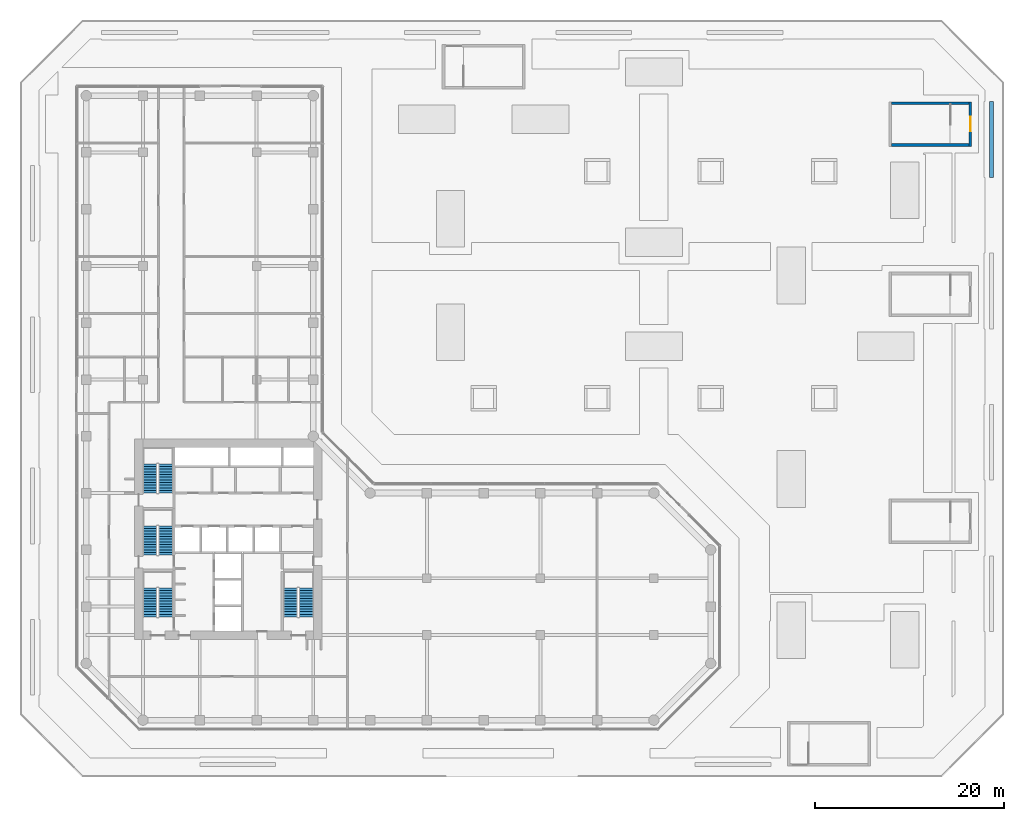
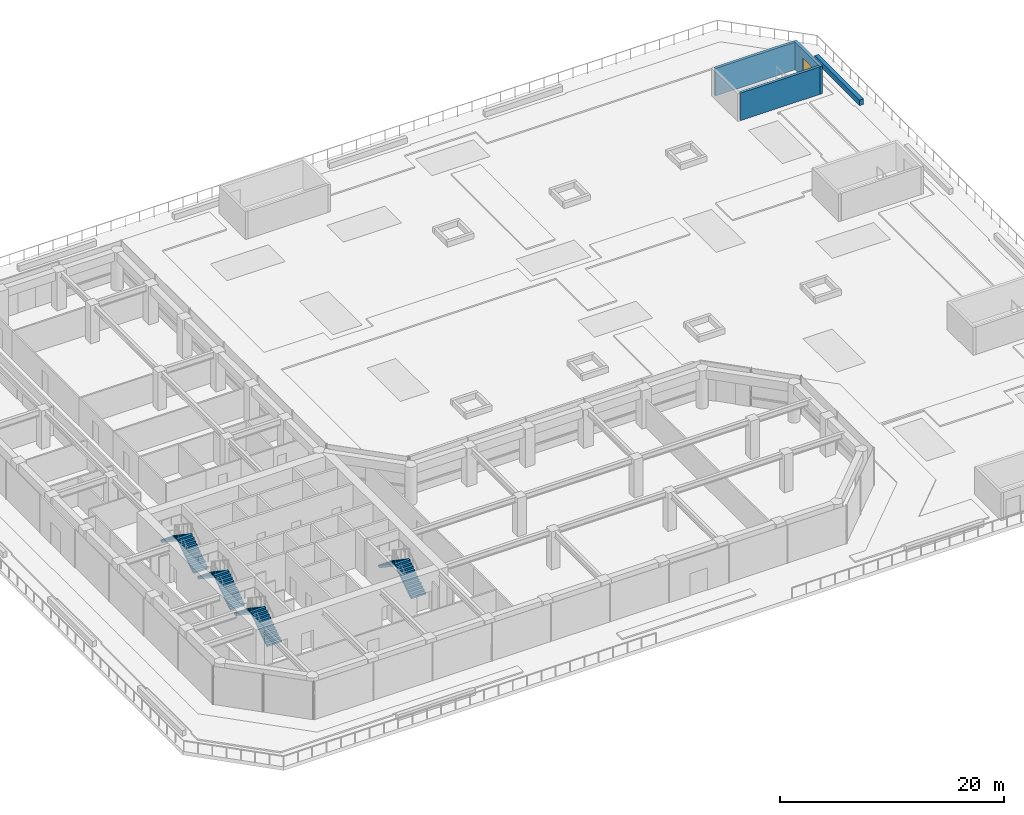
# One storey, part 29 of 31: 8 stair flights, 4 walls, 1 door, 1 opening, 4 elements without a shape of their own.
"""IFC4 building model written with IfcOpenShell, lengths in metres."""

from ifc_helpers import new_model, si_unit, direction, frame, frame_2d, origin, place, context, subcontext, project, spatial, polyline, rectangle, outline, extrude, material, layer, layer_set, type_object, element, fill, aggregate, save


model = new_model("IFC4")

# Units and contexts
model_context = context("Model", 3, precision=1e-05, world=origin(), true_north=direction((0.0, 1.0)))
body_context = subcontext(model_context, "Body", "Model", "MODEL_VIEW")
ifc_project = project(units=[si_unit("LENGTHUNIT", "METRE"), si_unit("AREAUNIT", "SQUARE_METRE"), si_unit("VOLUMEUNIT", "CUBIC_METRE"), si_unit("PLANEANGLEUNIT", "RADIAN"), si_unit("MASSUNIT", "GRAM", prefix="KILO")], contexts=[model_context])

# Site, building, storey
site_placement = place(None, origin())
site = spatial("IfcSite", under=ifc_project, at=site_placement, CompositionType="ELEMENT")
building_placement = place(site_placement, origin())
building = spatial("IfcBuilding", under=site, at=building_placement, Name="Welwitschia Terrace Campus", CompositionType="ELEMENT")
storey_placement = place(building_placement, frame((0.0, 0.0, 11.0)))
storey = spatial("IfcBuildingStorey", under=building, at=storey_placement, Name="L02", CompositionType="ELEMENT", Elevation=11.0)

# Wall, opening, door
ifc_material_1 = material(Name="Concrete C50/60", Category="concrete")
ifc_layer_1 = layer(ifc_material_1, 0.27490234375)
ifc_layer_set_1 = layer_set([ifc_layer_1], Name="Concrete C50/60")
wall_type_1 = type_object("IfcWallType", Name="Head house wall 275 Concrete C50/60", PredefinedType="SHEAR", material=ifc_layer_set_1)
wall_1_placement = place(storey_placement, frame((93.4375, 61.35009765625, 0.0), z_axis=(0.0, 0.0, 1.0), x_axis=(0.0, -1.0, 0.0)))
wall_1 = element("IfcWall", 1, at=wall_1_placement, inside=storey, type_object=wall_type_1, Name="Core wall", PredefinedType="SHEAR", context=body_context, shape_type="SweptSolid", body=[
    extrude(rectangle(XDim=4.7001953125, YDim=0.27490234375, at=frame_2d((2.35009765625, 0.0))), origin(), (0.0, 0.0, 1.0), 3.0),
])
opening_placement = place(wall_1_placement, frame((1.60009765625, 0.0, 0.0)))
opening = element("IfcOpeningElement", 2, at=opening_placement, cuts=wall_1, Name="Opening DS15", PredefinedType="OPENING", context=body_context, shape_type="SweptSolid", body=[
    extrude(rectangle(XDim=1.5, YDim=2.10009765625, at=frame_2d((0.75, 1.050048828125))), frame((0.0, 0.1474609375, 0.0), z_axis=(0.0, -1.0, 0.0), x_axis=(1.0, 0.0, 0.0)), (0.0, 0.0, 1.0), 0.294921875),
])
ifc_material_2 = material(Name="Steel S275", Category="steel")
door_type = type_object("IfcDoorType", Name="Core door DS15", OperationType="DOUBLE_DOOR_SINGLE_SWING", PredefinedType="DOOR", material=ifc_material_2)
door_placement = place(opening_placement, origin())
door = element("IfcDoor", 3, at=door_placement, inside=storey, type_object=door_type, Name="Door P3", OperationType="DOUBLE_DOOR_SINGLE_SWING", OverallHeight=2.10009765625, OverallWidth=1.5, PredefinedType="DOOR", context=body_context, shape_type="SweptSolid", body=[
    extrude(rectangle(XDim=1.5, YDim=2.10009765625, at=frame_2d((0.75, 1.050048828125))), frame((0.0, 0.02490234375, 0.0), z_axis=(0.0, -1.0, 0.0), x_axis=(1.0, 0.0, 0.0)), (0.0, 0.0, 1.0), 0.050048828125),
])
fill(opening, door)

# Walls
for number, where, z_axis, x_axis, name in (
    (4, (85.10009765625, 56.78759765625, 0.0), (0.0, 0.0, 1.0), (1.0, 0.0, 0.0), "Core wall"),
    (5, (85.10009765625, 61.21240234375, 0.0), (0.0, 0.0, 1.0), (1.0, 0.0, 0.0), "Core wall"),
):
    element("IfcWall", number, at=place(storey_placement, frame(where, z_axis=z_axis, x_axis=x_axis)), inside=storey, type_object=wall_type_1, Name=name, PredefinedType="SHEAR", context=body_context, shape_type="SweptSolid", body=[
        extrude(rectangle(XDim=8.199951171875, YDim=0.27490234375, at=frame_2d((4.10009765625, 0.0))), origin(), (0.0, 0.0, 1.0), 3.0),
    ])
ifc_material_3 = material(Name="Concrete C40/50", Category="concrete")
ifc_layer_2 = layer(ifc_material_3, 0.39990234375)
ifc_layer_set_2 = layer_set([ifc_layer_2], Name="Concrete C40/50")
wall_type_2 = type_object("IfcWallType", Name="Planter wall 400", PredefinedType="SOLIDWALL", material=ifc_layer_set_2)
wall_2_placement = place(storey_placement, frame((95.679931640625, 61.364501953125, 0.0), z_axis=(0.0, 0.0, 1.0), x_axis=(0.0, -1.0, 0.0)))
element("IfcWall", 6, at=wall_2_placement, inside=storey, type_object=wall_type_2, Name="PLANTER", PredefinedType="SOLIDWALL", context=body_context, shape_type="SweptSolid", body=[
    extrude(rectangle(XDim=8.0, YDim=0.39990234375, at=frame_2d((4.0, 0.0))), origin(), (0.0, 0.0, 1.0), 0.60009765625),
])

# Stair, stair flights
ifc_material_4 = material(Name="Concrete C40/50", Category="concrete")
stair_type = type_object("IfcStairType", Name="Stair 24R 188 W1500", PredefinedType="HALF_TURN_STAIR", material=ifc_material_4)
stair_1_placement = place(storey_placement, origin())
stair_1 = element("IfcStair", 7, at=stair_1_placement, inside=storey, type_object=stair_type, Name="L02 Exit stair S1", PredefinedType="HALF_TURN_STAIR")
ifc_material_5 = material(Name="Concrete C40/50", Category="concrete")
stair_flight_type = type_object("IfcStairFlightType", Name="Stair flight 24R 188 W1500", PredefinedType="STRAIGHT", material=ifc_material_5)
stair_flight_1_placement = place(storey_placement, frame((8.39990234375, 6.89990234375, 0.0), z_axis=(0.0, 0.0, 1.0), x_axis=(0.0, 1.0, 0.0)))
stair_flight_1 = element("IfcStairFlight", 8, at=stair_flight_1_placement, type_object=stair_flight_type, Name="S1 flight 1", NumberOfRisers=12, NumberOfTreads=11, PredefinedType="STRAIGHT", RiserHeight=0.1875, TreadLength=0.28, context=body_context, shape_type="SweptSolid", body=[
    extrude(outline(polyline([(0.0, 0.0), (0.0, 0.1875), (0.280029296875, 0.1875), (0.280029296875, 0.375), (0.56005859375, 0.375), (0.56005859375, 0.5625), (0.840087890625, 0.5625), (0.840087890625, 0.75), (1.1201171875, 0.75), (1.1201171875, 0.9375), (1.39990234375, 0.9375), (1.39990234375, 1.125), (1.679931640625, 1.125), (1.679931640625, 1.3125), (1.9599609375, 1.3125), (1.9599609375, 1.5), (2.239990234375, 1.5), (2.239990234375, 1.6875), (2.52001953125, 1.6875), (2.52001953125, 1.875), (2.800048828125, 1.875), (2.800048828125, 2.0625), (3.080078125, 2.0625), (3.080078125, 2.25), (3.080078125, 1.882080078125), (0.26953125, 0.0), (0.0, 0.0)])), frame((0.0, 0.75, 0.0), z_axis=(0.0, -1.0, 0.0), x_axis=(1.0, 0.0, 0.0)), (0.0, 0.0, 1.0), 1.5),
])
stair_flight_2_placement = place(storey_placement, frame((6.75, 9.97998046875, 2.25), z_axis=(0.0, 0.0, 1.0), x_axis=(0.0, -1.0, 0.0)))
stair_flight_2 = element("IfcStairFlight", 9, at=stair_flight_2_placement, type_object=stair_flight_type, Name="S1 flight 2", NumberOfRisers=12, NumberOfTreads=11, PredefinedType="STRAIGHT", RiserHeight=0.1875, TreadLength=0.28, context=body_context, shape_type="SweptSolid", body=[
    extrude(outline(polyline([(0.0, 0.0), (0.0, 0.1875), (0.280029296875, 0.1875), (0.280029296875, 0.375), (0.56005859375, 0.375), (0.56005859375, 0.5625), (0.840087890625, 0.5625), (0.840087890625, 0.75), (1.1201171875, 0.75), (1.1201171875, 0.9375), (1.39990234375, 0.9375), (1.39990234375, 1.125), (1.679931640625, 1.125), (1.679931640625, 1.3125), (1.9599609375, 1.3125), (1.9599609375, 1.5), (2.239990234375, 1.5), (2.239990234375, 1.6875), (2.52001953125, 1.6875), (2.52001953125, 1.875), (2.800048828125, 1.875), (2.800048828125, 2.0625), (3.080078125, 2.0625), (3.080078125, 2.25), (3.080078125, 1.882080078125), (0.26953125, 0.0), (0.0, 0.0)])), frame((0.0, 0.75, 0.0), z_axis=(0.0, -1.0, 0.0), x_axis=(1.0, 0.0, 0.0)), (0.0, 0.0, 1.0), 1.5),
])
aggregate(stair_1, [stair_flight_1, stair_flight_2])

stair_2_placement = place(storey_placement, origin())
stair_2 = element("IfcStair", 10, at=stair_2_placement, inside=storey, type_object=stair_type, Name="L02 Exit stair S3", PredefinedType="HALF_TURN_STAIR")
stair_flight_3_placement = place(storey_placement, frame((8.39990234375, 13.449951171875, 0.0), z_axis=(0.0, 0.0, 1.0), x_axis=(0.0, 1.0, 0.0)))
stair_flight_3 = element("IfcStairFlight", 11, at=stair_flight_3_placement, type_object=stair_flight_type, Name="S3 flight 1", NumberOfRisers=12, NumberOfTreads=11, PredefinedType="STRAIGHT", RiserHeight=0.1875, TreadLength=0.28, context=body_context, shape_type="SweptSolid", body=[
    extrude(outline(polyline([(0.0, 0.0), (0.0, 0.1875), (0.280029296875, 0.1875), (0.280029296875, 0.375), (0.56005859375, 0.375), (0.56005859375, 0.5625), (0.840087890625, 0.5625), (0.840087890625, 0.75), (1.1201171875, 0.75), (1.1201171875, 0.9375), (1.39990234375, 0.9375), (1.39990234375, 1.125), (1.679931640625, 1.125), (1.679931640625, 1.3125), (1.9599609375, 1.3125), (1.9599609375, 1.5), (2.239990234375, 1.5), (2.239990234375, 1.6875), (2.52001953125, 1.6875), (2.52001953125, 1.875), (2.800048828125, 1.875), (2.800048828125, 2.0625), (3.080078125, 2.0625), (3.080078125, 2.25), (3.080078125, 1.882080078125), (0.26953125, 0.0), (0.0, 0.0)])), frame((0.0, 0.75, 0.0), z_axis=(0.0, -1.0, 0.0), x_axis=(1.0, 0.0, 0.0)), (0.0, 0.0, 1.0), 1.5),
])
stair_flight_4_placement = place(storey_placement, frame((6.75, 16.530029296875, 2.25), z_axis=(0.0, 0.0, 1.0), x_axis=(0.0, -1.0, 0.0)))
stair_flight_4 = element("IfcStairFlight", 12, at=stair_flight_4_placement, type_object=stair_flight_type, Name="S3 flight 2", NumberOfRisers=12, NumberOfTreads=11, PredefinedType="STRAIGHT", RiserHeight=0.1875, TreadLength=0.28, context=body_context, shape_type="SweptSolid", body=[
    extrude(outline(polyline([(0.0, 0.0), (0.0, 0.1875), (0.280029296875, 0.1875), (0.280029296875, 0.375), (0.56005859375, 0.375), (0.56005859375, 0.5625), (0.840087890625, 0.5625), (0.840087890625, 0.75), (1.1201171875, 0.75), (1.1201171875, 0.9375), (1.39990234375, 0.9375), (1.39990234375, 1.125), (1.679931640625, 1.125), (1.679931640625, 1.3125), (1.9599609375, 1.3125), (1.9599609375, 1.5), (2.239990234375, 1.5), (2.239990234375, 1.6875), (2.52001953125, 1.6875), (2.52001953125, 1.875), (2.800048828125, 1.875), (2.800048828125, 2.0625), (3.080078125, 2.0625), (3.080078125, 2.25), (3.080078125, 1.882080078125), (0.26953125, 0.0), (0.0, 0.0)])), frame((0.0, 0.75, 0.0), z_axis=(0.0, -1.0, 0.0), x_axis=(1.0, 0.0, 0.0)), (0.0, 0.0, 1.0), 1.5),
])
aggregate(stair_2, [stair_flight_3, stair_flight_4])

stair_3_placement = place(storey_placement, origin())
stair_3 = element("IfcStair", 13, at=stair_3_placement, inside=storey, type_object=stair_type, Name="L02 Exit stair S4", PredefinedType="HALF_TURN_STAIR")
stair_flight_5_placement = place(storey_placement, frame((8.39990234375, 20.0, 0.0), z_axis=(0.0, 0.0, 1.0), x_axis=(0.0, 1.0, 0.0)))
stair_flight_5 = element("IfcStairFlight", 14, at=stair_flight_5_placement, type_object=stair_flight_type, Name="S4 flight 1", NumberOfRisers=12, NumberOfTreads=11, PredefinedType="STRAIGHT", RiserHeight=0.1875, TreadLength=0.28, context=body_context, shape_type="SweptSolid", body=[
    extrude(outline(polyline([(0.0, 0.0), (0.0, 0.1875), (0.280029296875, 0.1875), (0.280029296875, 0.375), (0.56005859375, 0.375), (0.56005859375, 0.5625), (0.840087890625, 0.5625), (0.840087890625, 0.75), (1.1201171875, 0.75), (1.1201171875, 0.9375), (1.39990234375, 0.9375), (1.39990234375, 1.125), (1.679931640625, 1.125), (1.679931640625, 1.3125), (1.9599609375, 1.3125), (1.9599609375, 1.5), (2.239990234375, 1.5), (2.239990234375, 1.6875), (2.52001953125, 1.6875), (2.52001953125, 1.875), (2.800048828125, 1.875), (2.800048828125, 2.0625), (3.080078125, 2.0625), (3.080078125, 2.25), (3.080078125, 1.882080078125), (0.26953125, 0.0), (0.0, 0.0)])), frame((0.0, 0.75, 0.0), z_axis=(0.0, -1.0, 0.0), x_axis=(1.0, 0.0, 0.0)), (0.0, 0.0, 1.0), 1.5),
])
stair_flight_6_placement = place(storey_placement, frame((6.75, 23.080078125, 2.25), z_axis=(0.0, 0.0, 1.0), x_axis=(0.0, -1.0, 0.0)))
stair_flight_6 = element("IfcStairFlight", 15, at=stair_flight_6_placement, type_object=stair_flight_type, Name="S4 flight 2", NumberOfRisers=12, NumberOfTreads=11, PredefinedType="STRAIGHT", RiserHeight=0.1875, TreadLength=0.28, context=body_context, shape_type="SweptSolid", body=[
    extrude(outline(polyline([(0.0, 0.0), (0.0, 0.1875), (0.280029296875, 0.1875), (0.280029296875, 0.375), (0.56005859375, 0.375), (0.56005859375, 0.5625), (0.840087890625, 0.5625), (0.840087890625, 0.75), (1.1201171875, 0.75), (1.1201171875, 0.9375), (1.39990234375, 0.9375), (1.39990234375, 1.125), (1.679931640625, 1.125), (1.679931640625, 1.3125), (1.9599609375, 1.3125), (1.9599609375, 1.5), (2.239990234375, 1.5), (2.239990234375, 1.6875), (2.52001953125, 1.6875), (2.52001953125, 1.875), (2.800048828125, 1.875), (2.800048828125, 2.0625), (3.080078125, 2.0625), (3.080078125, 2.25), (3.080078125, 1.882080078125), (0.26953125, 0.0), (0.0, 0.0)])), frame((0.0, 0.75, 0.0), z_axis=(0.0, -1.0, 0.0), x_axis=(1.0, 0.0, 0.0)), (0.0, 0.0, 1.0), 1.5),
])
aggregate(stair_3, [stair_flight_5, stair_flight_6])

stair_4_placement = place(storey_placement, origin())
stair_4 = element("IfcStair", 16, at=stair_4_placement, inside=storey, type_object=stair_type, Name="L02 Exit stair S2", PredefinedType="HALF_TURN_STAIR")
stair_flight_7_placement = place(storey_placement, frame((23.25, 6.89990234375, 0.0), z_axis=(0.0, 0.0, 1.0), x_axis=(0.0, 1.0, 0.0)))
stair_flight_7 = element("IfcStairFlight", 17, at=stair_flight_7_placement, type_object=stair_flight_type, Name="S2 flight 1", NumberOfRisers=12, NumberOfTreads=11, PredefinedType="STRAIGHT", RiserHeight=0.1875, TreadLength=0.28, context=body_context, shape_type="SweptSolid", body=[
    extrude(outline(polyline([(0.0, 0.0), (0.0, 0.1875), (0.280029296875, 0.1875), (0.280029296875, 0.375), (0.56005859375, 0.375), (0.56005859375, 0.5625), (0.840087890625, 0.5625), (0.840087890625, 0.75), (1.1201171875, 0.75), (1.1201171875, 0.9375), (1.39990234375, 0.9375), (1.39990234375, 1.125), (1.679931640625, 1.125), (1.679931640625, 1.3125), (1.9599609375, 1.3125), (1.9599609375, 1.5), (2.239990234375, 1.5), (2.239990234375, 1.6875), (2.52001953125, 1.6875), (2.52001953125, 1.875), (2.800048828125, 1.875), (2.800048828125, 2.0625), (3.080078125, 2.0625), (3.080078125, 2.25), (3.080078125, 1.882080078125), (0.26953125, 0.0), (0.0, 0.0)])), frame((0.0, 0.75, 0.0), z_axis=(0.0, -1.0, 0.0), x_axis=(1.0, 0.0, 0.0)), (0.0, 0.0, 1.0), 1.5),
])
stair_flight_8_placement = place(storey_placement, frame((21.60009765625, 9.97998046875, 2.25), z_axis=(0.0, 0.0, 1.0), x_axis=(0.0, -1.0, 0.0)))
stair_flight_8 = element("IfcStairFlight", 18, at=stair_flight_8_placement, type_object=stair_flight_type, Name="S2 flight 2", NumberOfRisers=12, NumberOfTreads=11, PredefinedType="STRAIGHT", RiserHeight=0.1875, TreadLength=0.28, context=body_context, shape_type="SweptSolid", body=[
    extrude(outline(polyline([(0.0, 0.0), (0.0, 0.1875), (0.280029296875, 0.1875), (0.280029296875, 0.375), (0.56005859375, 0.375), (0.56005859375, 0.5625), (0.840087890625, 0.5625), (0.840087890625, 0.75), (1.1201171875, 0.75), (1.1201171875, 0.9375), (1.39990234375, 0.9375), (1.39990234375, 1.125), (1.679931640625, 1.125), (1.679931640625, 1.3125), (1.9599609375, 1.3125), (1.9599609375, 1.5), (2.239990234375, 1.5), (2.239990234375, 1.6875), (2.52001953125, 1.6875), (2.52001953125, 1.875), (2.800048828125, 1.875), (2.800048828125, 2.0625), (3.080078125, 2.0625), (3.080078125, 2.25), (3.080078125, 1.882080078125), (0.26953125, 0.0), (0.0, 0.0)])), frame((0.0, 0.75, 0.0), z_axis=(0.0, -1.0, 0.0), x_axis=(1.0, 0.0, 0.0)), (0.0, 0.0, 1.0), 1.5),
])
aggregate(stair_4, [stair_flight_7, stair_flight_8])

save(model, "model.ifc")
